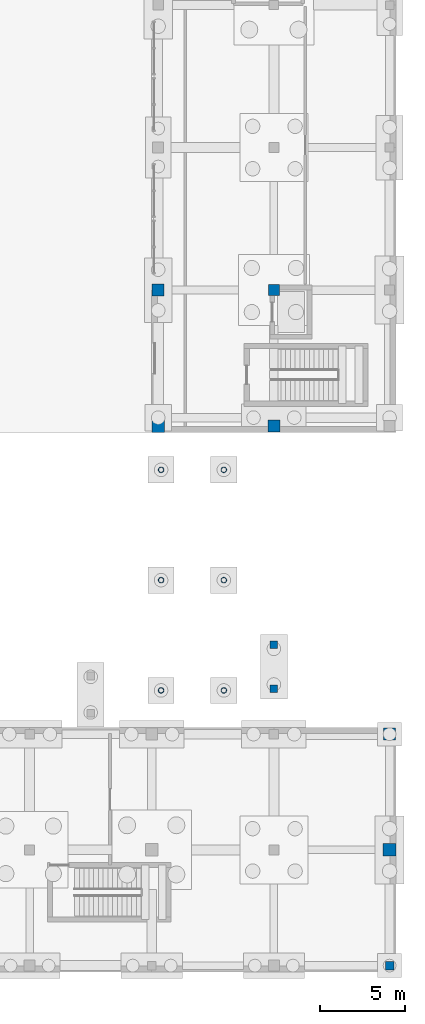
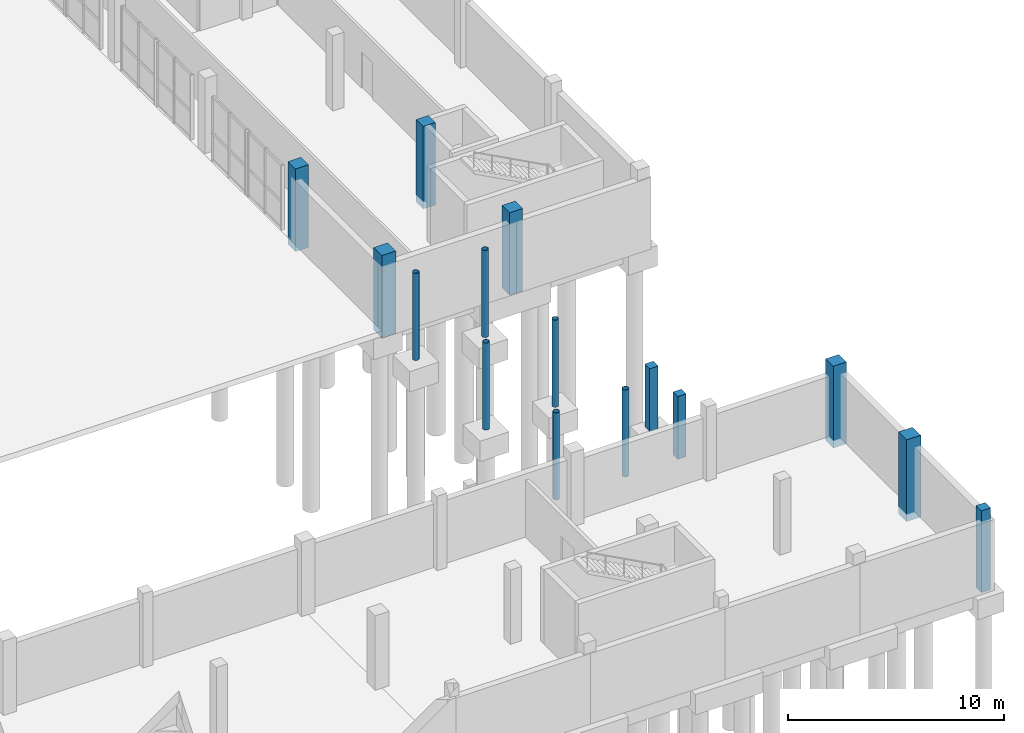
# One storey, part 15 of 41: 15 columns.
"""IFC4 building model written with IfcOpenShell, lengths in metres."""

import ifcopenshell
import ifcopenshell.guid

model = None  # the IFC model being written
_history = None  # IfcOwnerHistory: only IFC2X3 demands one
_inside = {}  # id of a spatial element -> (the spatial element, [elements in it])
_under = {}  # id of a project, library or spatial element -> (it, [spatial elements below it])
_declared = {}  # id of a project -> (the project, [libraries it declares])
_typed = {}  # id of a type object -> (the type object, [elements of that type])
_made_of = {}  # id of a material, layer set ... -> (it, [elements and type objects made of it])


def new_model(schema):
    """Start an empty IFC model of exactly this schema.

    Asked for "IFC4X3", IfcOpenShell would pick the latest addendum, in which some entities
    have other attributes; the version numbers below select the first issue.
    IFC2X3 requires an IfcOwnerHistory on every rooted entity: one is made here for all.
    """
    global model, _history
    if schema == "IFC4X3":
        model = ifcopenshell.file(schema_version=(4, 3, 0, 0))
    else:
        model = ifcopenshell.file(schema=schema)
    _inside.clear()
    _under.clear()
    _declared.clear()
    _typed.clear()
    _made_of.clear()
    _history = None
    if model.schema == "IFC2X3":
        org = make("IfcOrganization", Name="unknown")
        user = make(
            "IfcPersonAndOrganization",
            ThePerson=make("IfcPerson", FamilyName="unknown"),
            TheOrganization=org,
        )
        app = make(
            "IfcApplication",
            ApplicationDeveloper=org,
            Version="unknown",
            ApplicationFullName="unknown",
            ApplicationIdentifier="unknown",
        )
        _history = make(
            "IfcOwnerHistory",
            OwningUser=user,
            OwningApplication=app,
            ChangeAction="ADDED",
            CreationDate=0,
        )
    return model


def make(cls, **values):
    """One entity of the class cls with the attributes given. An attribute that is None is left unset."""
    return model.create_entity(
        cls, **{name: value for name, value in values.items() if value is not None}
    )


def rooted(cls, **values):
    """An entity with a GlobalId (a new one), such as an element, a storey or a relation."""
    return make(cls, GlobalId=ifcopenshell.guid.new(), OwnerHistory=_history, **values)


def si_unit(unit_type, name, prefix=None):
    """IfcSIUnit, for example si_unit("LENGTHUNIT", "METRE", prefix="MILLI")."""
    return make("IfcSIUnit", UnitType=unit_type, Prefix=prefix, Name=name)


def assignment(units):
    """IfcUnitAssignment: the units of a project."""
    return None if units is None else make("IfcUnitAssignment", Units=units)


def point(xyz):
    """IfcCartesianPoint."""
    return None if xyz is None else make("IfcCartesianPoint", Coordinates=xyz)


def direction(xyz):
    """IfcDirection."""
    return None if xyz is None else make("IfcDirection", DirectionRatios=xyz)


def frame(location, z_axis=None, x_axis=None):
    """IfcAxis2Placement3D, a coordinate frame: its origin and axes. An axis left out is left unset."""
    return make(
        "IfcAxis2Placement3D",
        Location=point(location),
        Axis=direction(z_axis),
        RefDirection=direction(x_axis),
    )


def frame_2d(location, x_axis=None):
    """IfcAxis2Placement2D, a coordinate frame in the plane: its origin and x axis."""
    return make(
        "IfcAxis2Placement2D", Location=point(location), RefDirection=direction(x_axis)
    )


def origin():
    """The frame at (0, 0, 0) with its axes left unset."""
    return frame((0.0, 0.0, 0.0))


def origin_2d():
    """The frame at (0, 0) in the plane with its x axis left unset."""
    return frame_2d((0.0, 0.0))


def place(relative_to, where):
    """IfcLocalPlacement: puts the frame where relative to a parent placement (None: the world)."""
    return make(
        "IfcLocalPlacement", PlacementRelTo=relative_to, RelativePlacement=where
    )


def context(
    kind, dimensions, precision=None, world=None, true_north=None, identifier=None
):
    """IfcGeometricRepresentationContext, for example the 3D "Model" context."""
    return make(
        "IfcGeometricRepresentationContext",
        ContextIdentifier=identifier,
        ContextType=kind,
        CoordinateSpaceDimension=dimensions,
        Precision=precision,
        WorldCoordinateSystem=world,
        TrueNorth=true_north,
    )


def subcontext(parent, identifier, kind, view, scale=None):
    """IfcGeometricRepresentationSubContext, for example "Body" below "Model"."""
    return make(
        "IfcGeometricRepresentationSubContext",
        ContextIdentifier=identifier,
        ContextType=kind,
        ParentContext=parent,
        TargetScale=scale,
        TargetView=view,
    )


def project(units=None, contexts=None):
    """IfcProject with its units and contexts."""
    return rooted(
        "IfcProject",
        Name="project",
        RepresentationContexts=contexts,
        UnitsInContext=assignment(units),
    )


def spatial(cls, under=None, at=None, **own):
    """A site, building, storey or space (cls), placed at a placement, below another one or the project."""
    s = rooted(cls, ObjectPlacement=at, **own)
    if under is not None:
        _under.setdefault(under.id(), (under, []))[1].append(s)
    return s


def profile(cls, at=None, kind="AREA", **sizes):
    """A parametric profile (cls). Its sizes go by their IFC names, for example OverallWidth=200.0."""
    return make(cls, ProfileType=kind, Position=at, **sizes)


def rectangle(**sizes):
    """IfcRectangleProfileDef."""
    return profile("IfcRectangleProfileDef", **sizes)


def hollow_circle(**sizes):
    """IfcCircleHollowProfileDef."""
    return profile("IfcCircleHollowProfileDef", **sizes)


def extrude(swept, where, along, depth):
    """IfcExtrudedAreaSolid: the profile swept, set in the frame where, extruded along a direction by depth."""
    return make(
        "IfcExtrudedAreaSolid",
        SweptArea=swept,
        Position=where,
        ExtrudedDirection=direction(along),
        Depth=depth,
    )


def shape(context_of_items, identifier, shape_type, items):
    """IfcShapeRepresentation: the items that make up one representation, for example the "Body"."""
    return make(
        "IfcShapeRepresentation",
        ContextOfItems=context_of_items,
        RepresentationIdentifier=identifier,
        RepresentationType=shape_type,
        Items=items,
    )


def material(Name=None, Category=None):
    """IfcMaterial."""
    return make("IfcMaterial", Name=Name, Category=Category)


def material_profile(
    of_material, cross_section, Name=None, Category=None, Priority=None
):
    """IfcMaterialProfile: a cross section and its material."""
    return make(
        "IfcMaterialProfile",
        Name=Name,
        Material=of_material,
        Profile=cross_section,
        Priority=Priority,
        Category=Category,
    )


def profile_set(profiles, Name=None, composite=None):
    """IfcMaterialProfileSet."""
    return make(
        "IfcMaterialProfileSet",
        Name=Name,
        MaterialProfiles=profiles,
        CompositeProfile=composite,
    )


def made_of(thing, what):
    """Note that an element or type object is made of a material, layer set ...; save() writes the relation."""
    if what is not None:
        _made_of.setdefault(what.id(), (what, []))[1].append(thing)
    return thing


def type_object(cls, material=None, **own):
    """A type object (cls), such as IfcWallType, which elements share."""
    return made_of(rooted(cls, **own), material)


def element(
    cls,
    number,
    at=None,
    inside=None,
    cuts=None,
    type_object=None,
    material=None,
    context=None,
    identifier="Body",
    shape_type=None,
    held_by="IfcProductDefinitionShape",
    body=None,
    shapes=None,
    **own,
):
    """One element of the class cls, such as IfcWall. Its Tag is "e" and its number.

    at: its placement. inside: the storey or other place that contains it. cuts: it is an
    opening in that element (IfcRelVoidsElement). A single representation is given by context,
    identifier, shape_type and body (its items); several are given by shapes. held_by: the class
    of the entity that holds the representations. save() writes the other relations.
    """
    e = rooted(cls, Tag="e%d" % number, ObjectPlacement=at, **own)
    if body is not None:
        shapes = [shape(context, identifier, shape_type, body)]
    if shapes is not None:
        e.Representation = make(held_by, Representations=shapes)
    if inside is not None:
        _inside.setdefault(inside.id(), (inside, []))[1].append(e)
    if cuts is not None:
        rooted(
            "IfcRelVoidsElement", RelatingBuildingElement=cuts, RelatedOpeningElement=e
        )
    if type_object is not None:
        _typed.setdefault(type_object.id(), (type_object, []))[1].append(e)
    return made_of(e, material)


def aggregate(whole, parts):
    """IfcRelAggregates: a whole, such as a stair, and the parts it consists of."""
    return rooted("IfcRelAggregates", RelatingObject=whole, RelatedObjects=parts)


def save(model, path):
    """Write the relations noted so far, then the file.

    IfcRelAggregates (storeys below a building ...), IfcRelContainedInSpatialStructure (elements
    in a storey), IfcRelDefinesByType, IfcRelAssociatesMaterial and IfcRelDeclares: one each for
    every whole, place, type object, material and project.
    """
    for whole, parts in _under.values():
        aggregate(whole, parts)
    for where, things in _inside.values():
        rooted(
            "IfcRelContainedInSpatialStructure",
            RelatedElements=things,
            RelatingStructure=where,
        )
    for kind, things in _typed.values():
        rooted("IfcRelDefinesByType", RelatedObjects=things, RelatingType=kind)
    for what, things in _made_of.values():
        rooted("IfcRelAssociatesMaterial", RelatedObjects=things, RelatingMaterial=what)
    for by, libraries in _declared.values():
        rooted("IfcRelDeclares", RelatingContext=by, RelatedDefinitions=libraries)
    model.write(path)


model = new_model("IFC4")

# Units and contexts
model_context = context("Model", 3, precision=1e-05, world=origin(), true_north=direction((0.0, 1.0)))
body_context = subcontext(model_context, "Body", "Model", "MODEL_VIEW")
ifc_project = project(units=[si_unit("LENGTHUNIT", "METRE"), si_unit("AREAUNIT", "SQUARE_METRE"), si_unit("VOLUMEUNIT", "CUBIC_METRE"), si_unit("PLANEANGLEUNIT", "RADIAN"), si_unit("MASSUNIT", "GRAM", prefix="KILO")], contexts=[model_context])

# Site, building, storey
site_placement = place(None, origin())
site = spatial("IfcSite", under=ifc_project, at=site_placement, CompositionType="ELEMENT")
building_placement = place(site_placement, origin())
building = spatial("IfcBuilding", under=site, at=building_placement, Name="Vardoun Plaza Health Centre", CompositionType="ELEMENT")
storey_placement = place(building_placement, frame((0.0, 0.0, -4.5)))
storey = spatial("IfcBuildingStorey", under=building, at=storey_placement, Name="B1", CompositionType="ELEMENT", Elevation=-4.5)

# Columns
ifc_material_1 = material(Name="Concrete C40/50", Category="concrete")
ifc_material_profile_1 = material_profile(ifc_material_1, rectangle(XDim=0.449951171875, YDim=0.449951171875, at=origin_2d()), Name="RC-COL 450x450")
ifc_profile_set_1 = profile_set([ifc_material_profile_1], Name="Concrete C40/50")
column_type_1 = type_object("IfcColumnType", Name="C-07", PredefinedType="COLUMN", material=ifc_profile_set_1)
for number, where, z_axis, x_axis, name in (
    (1, (158.10009765625, 21.199951171875, -0.419921875), (0.0, 0.0, 1.0), (1.0, 0.0, 0.0), "Vehicle Ramp Intermediate Support Pier 1"),
    (2, (158.10009765625, 23.800048828125, -0.419921875), (0.0, 0.0, 1.0), (1.0, 0.0, 0.0), "Vehicle Ramp Intermediate Support Pier 2"),
):
    element("IfcColumn", number, at=place(storey_placement, frame(where, z_axis=z_axis, x_axis=x_axis)), inside=storey, type_object=column_type_1, Name=name, PredefinedType="COLUMN", context=body_context, shape_type="SweptSolid", body=[
        extrude(rectangle(XDim=0.449951171875, YDim=0.449951171875, at=origin_2d()), origin(), (0.0, 0.0, 1.0), 3.5498046875),
    ])
ifc_material_2 = material(Name="Concrete C40/50", Category="concrete")
ifc_material_profile_2 = material_profile(ifc_material_2, rectangle(XDim=0.5, YDim=0.5, at=origin_2d()), Name="RC-COL 500x500")
ifc_profile_set_2 = profile_set([ifc_material_profile_2], Name="Concrete C40/50")
column_type_2 = type_object("IfcColumnType", Name="C-06", PredefinedType="COLUMN", material=ifc_profile_set_2)
column_1_placement = place(storey_placement, frame((164.919921875, 4.8798828125, -0.419921875), z_axis=(0.0, 0.0, 1.0), x_axis=(1.0, 0.0, 0.0)))
element("IfcColumn", 3, at=column_1_placement, inside=storey, type_object=column_type_2, Name="V5 B1 Column C-V5-25", PredefinedType="COLUMN", context=body_context, shape_type="SweptSolid", body=[
    extrude(rectangle(XDim=0.5, YDim=0.5, at=origin_2d()), origin(), (0.0, 0.0, 1.0), 4.625),
])
ifc_material_3 = material(Name="Concrete C40/50", Category="concrete")
ifc_material_profile_3 = material_profile(ifc_material_3, rectangle(XDim=0.64990234375, YDim=0.64990234375, at=origin_2d()), Name="RC-COL 650x650")
ifc_profile_set_3 = profile_set([ifc_material_profile_3], Name="Concrete C40/50")
column_type_3 = type_object("IfcColumnType", Name="C-03", PredefinedType="COLUMN", material=ifc_profile_set_3)
column_2_placement = place(storey_placement, frame((158.10009765625, 44.699951171875, -0.419921875), z_axis=(0.0, 0.0, 1.0), x_axis=(1.0, 0.0, 0.0)))
element("IfcColumn", 4, at=column_2_placement, inside=storey, type_object=column_type_3, Name="V6 B1 Column C-V6-09", PredefinedType="COLUMN", context=body_context, shape_type="SweptSolid", body=[
    extrude(rectangle(XDim=0.64990234375, YDim=0.64990234375, at=origin_2d()), origin(), (0.0, 0.0, 1.0), 4.669921875),
])
ifc_material_4 = material(Name="Concrete C40/50", Category="concrete")
ifc_material_profile_4 = material_profile(ifc_material_4, rectangle(XDim=0.699951171875, YDim=0.699951171875, at=origin_2d()), Name="RC-COL 700x700")
ifc_profile_set_4 = profile_set([ifc_material_profile_4], Name="Concrete C40/50")
column_type_4 = type_object("IfcColumnType", Name="C-02", PredefinedType="COLUMN", material=ifc_profile_set_4)
column_3_placement = place(storey_placement, frame((164.919921875, 18.52001953125, -0.419921875), z_axis=(0.0, 0.0, 1.0), x_axis=(1.0, 0.0, 0.0)))
element("IfcColumn", 5, at=column_3_placement, inside=storey, type_object=column_type_4, Name="V5 B1 Column C-V5-27", PredefinedType="COLUMN", context=body_context, shape_type="SweptSolid", body=[
    extrude(rectangle(XDim=0.699951171875, YDim=0.699951171875, at=origin_2d()), origin(), (0.0, 0.0, 1.0), 4.625),
])
for number, where, z_axis, x_axis, name in (
    (6, (151.280029296875, 44.699951171875, -0.419921875), (0.0, 0.0, 1.0), (1.0, 0.0, 0.0), "V6 B1 Column C-V6-02"),
    (7, (158.10009765625, 36.679931640625, -0.419921875), (0.0, 0.0, 1.0), (1.0, 0.0, 0.0), "V6 B1 Column C-V6-08"),
):
    element("IfcColumn", number, at=place(storey_placement, frame(where, z_axis=z_axis, x_axis=x_axis)), inside=storey, type_object=column_type_4, Name=name, PredefinedType="COLUMN", context=body_context, shape_type="SweptSolid", body=[
        extrude(rectangle(XDim=0.699951171875, YDim=0.699951171875, at=origin_2d()), origin(), (0.0, 0.0, 1.0), 4.669921875),
    ])
ifc_material_5 = material(Name="Concrete C40/50", Category="concrete")
ifc_material_profile_5 = material_profile(ifc_material_5, rectangle(XDim=0.75, YDim=0.75, at=origin_2d()), Name="RC-COL 750x750")
ifc_profile_set_5 = profile_set([ifc_material_profile_5], Name="Concrete C40/50")
column_type_5 = type_object("IfcColumnType", Name="C-01", PredefinedType="COLUMN", material=ifc_profile_set_5)
column_4_placement = place(storey_placement, frame((164.919921875, 11.699951171875, -0.419921875), z_axis=(0.0, 0.0, 1.0), x_axis=(1.0, 0.0, 0.0)))
element("IfcColumn", 8, at=column_4_placement, inside=storey, type_object=column_type_5, Name="V5 B1 Column C-V5-26", PredefinedType="COLUMN", context=body_context, shape_type="SweptSolid", body=[
    extrude(rectangle(XDim=0.75, YDim=0.75, at=origin_2d()), origin(), (0.0, 0.0, 1.0), 4.625),
])
column_5_placement = place(storey_placement, frame((151.280029296875, 36.679931640625, -0.419921875), z_axis=(0.0, 0.0, 1.0), x_axis=(1.0, 0.0, 0.0)))
element("IfcColumn", 9, at=column_5_placement, inside=storey, type_object=column_type_5, Name="V6 B1 Column C-V6-01", PredefinedType="COLUMN", context=body_context, shape_type="SweptSolid", body=[
    extrude(rectangle(XDim=0.75, YDim=0.75, at=origin_2d()), origin(), (0.0, 0.0, 1.0), 4.669921875),
])
ifc_material_6 = material(Name="Steel S355J2H", Category="steel")
ifc_material_profile_6 = material_profile(ifc_material_6, hollow_circle(Radius=0.161865234375, WallThickness=0.01611328125, at=origin_2d()), Name="CHS 323.9x16.0")
ifc_profile_set_6 = profile_set([ifc_material_profile_6], Name="Steel S355J2H")
column_type_6 = type_object("IfcColumnType", Name="C-20", PredefinedType="COLUMN", material=ifc_profile_set_6)
for number, where, z_axis, x_axis, name in (
    (10, (151.449951171875, 21.10009765625, -0.419921875), (0.0, 0.0, 1.0), (1.0, 0.0, 0.0), "Bridge BR-05 Court Pier W.1 (B1)"),
    (11, (151.449951171875, 27.60009765625, -0.419921875), (0.0, 0.0, 1.0), (1.0, 0.0, 0.0), "Bridge BR-05 Court Pier W.2 (B1)"),
    (12, (151.449951171875, 34.10009765625, -0.419921875), (0.0, 0.0, 1.0), (1.0, 0.0, 0.0), "Bridge BR-05 Court Pier W.3 (B1)"),
    (13, (155.14990234375, 21.10009765625, -0.419921875), (0.0, 0.0, 1.0), (1.0, 0.0, 0.0), "Bridge BR-05 Court Pier E.1 (B1)"),
    (14, (155.14990234375, 27.60009765625, -0.419921875), (0.0, 0.0, 1.0), (1.0, 0.0, 0.0), "Bridge BR-05 Court Pier E.2 (B1)"),
    (15, (155.14990234375, 34.10009765625, -0.419921875), (0.0, 0.0, 1.0), (1.0, 0.0, 0.0), "Bridge BR-05 Court Pier E.3 (B1)"),
):
    element("IfcColumn", number, at=place(storey_placement, frame(where, z_axis=z_axis, x_axis=x_axis)), inside=storey, type_object=column_type_6, Name=name, PredefinedType="COLUMN", context=body_context, shape_type="SweptSolid", body=[
        extrude(hollow_circle(Radius=0.161865234375, WallThickness=0.01611328125, at=origin_2d()), origin(), (0.0, 0.0, 1.0), 4.919921875),
    ])

save(model, "model.ifc")
